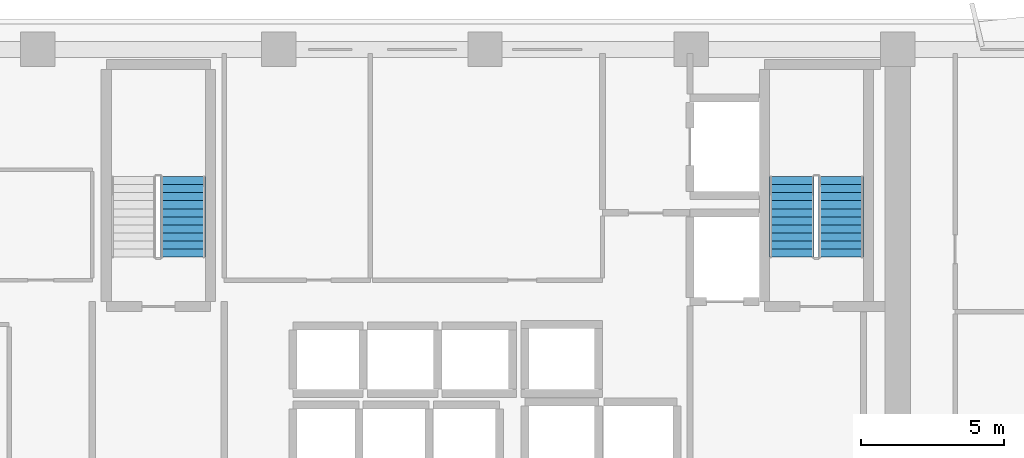
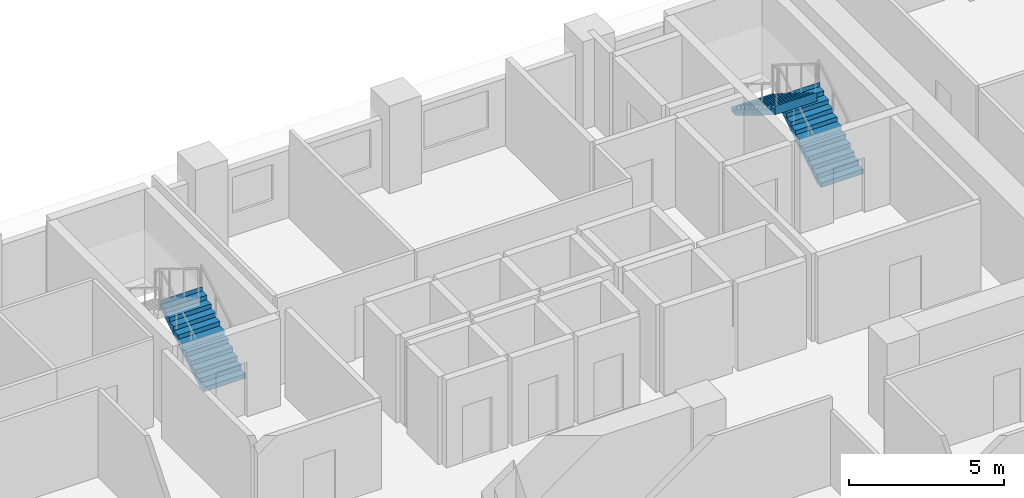
# One storey, part 10 of 15: 3 stair flights, 2 elements without a shape of their own.
"""IFC4 building model written with IfcOpenShell, lengths in metres."""

from ifc_helpers import new_model, si_unit, direction, frame, origin, place, context, subcontext, project, spatial, polyline, outline, extrude, material, type_object, element, aggregate, save


model = new_model("IFC4")

# Units and contexts
model_context = context("Model", 3, precision=1e-05, world=origin(), true_north=direction((0.0, 1.0)))
body_context = subcontext(model_context, "Body", "Model", "MODEL_VIEW")
ifc_project = project(units=[si_unit("LENGTHUNIT", "METRE"), si_unit("AREAUNIT", "SQUARE_METRE"), si_unit("VOLUMEUNIT", "CUBIC_METRE"), si_unit("PLANEANGLEUNIT", "RADIAN"), si_unit("MASSUNIT", "GRAM", prefix="KILO")], contexts=[model_context])

# Site, building, storey
site_placement = place(None, origin())
site = spatial("IfcSite", under=ifc_project, at=site_placement, CompositionType="ELEMENT")
building_placement = place(site_placement, origin())
building = spatial("IfcBuilding", under=site, at=building_placement, Name="Kaelvorn Grand Hotel", CompositionType="ELEMENT")
storey_placement = place(building_placement, frame((0.0, 0.0, 180.949951171875)))
storey = spatial("IfcBuildingStorey", under=building, at=storey_placement, Name="L44", CompositionType="ELEMENT", Elevation=180.949951171875)

# Stair, stair flight
ifc_material = material(Name="Concrete C40/50", Category="concrete")
stair_type = type_object("IfcStairType", Name="STR-DOG-1560-R08", PredefinedType="HALF_TURN_STAIR", material=ifc_material)
stair_1_placement = place(storey_placement, origin())
stair_1 = element("IfcStair", 1, at=stair_1_placement, inside=storey, type_object=stair_type, Name="L44 Central Core Exit Stair ST2", PredefinedType="HALF_TURN_STAIR")
stair_flight_type = type_object("IfcStairFlightType", Name="FLG-DOG-1560-R08", PredefinedType="STRAIGHT", material=ifc_material)
stair_flight_1_placement = place(storey_placement, frame((42.860107421875, 41.760009765625, 0.0), z_axis=(0.0, 0.0, 1.0), x_axis=(0.0, 1.0, 0.0)))
stair_flight_1 = element("IfcStairFlight", 2, at=stair_flight_1_placement, type_object=stair_flight_type, Name="ST2 flight 1", NumberOfRisers=11, NumberOfTreads=10, PredefinedType="STRAIGHT", RiserHeight=0.172727273, TreadLength=0.28, context=body_context, shape_type="SweptSolid", body=[
    extrude(outline(polyline([(-0.0048828125, 0.0), (-0.0048828125, 0.0400390625), (0.0, 0.172607421875), (0.280029296875, 0.172607421875), (0.280029296875, 0.345458984375), (0.56005859375, 0.345458984375), (0.56005859375, 0.51806640625), (0.840087890625, 0.51806640625), (0.840087890625, 0.69091796875), (1.1201171875, 0.69091796875), (1.1201171875, 0.863525390625), (1.39990234375, 0.863525390625), (1.39990234375, 1.036376953125), (1.679931640625, 1.036376953125), (1.679931640625, 1.208984375), (1.9599609375, 1.208984375), (1.9599609375, 1.3818359375), (2.239990234375, 1.3818359375), (2.239990234375, 1.554443359375), (2.52001953125, 1.554443359375), (2.52001953125, 1.727294921875), (2.800048828125, 1.727294921875), (2.800048828125, 1.89990234375), (2.804931640625, 1.89990234375), (2.804931640625, 1.551025390625), (0.285400390625, 0.0), (-0.0048828125, 0.0)])), frame((0.0, 0.780029296875, 0.0), z_axis=(0.0, -1.0, 0.0), x_axis=(1.0, 0.0, 0.0)), (0.0, 0.0, 1.0), 1.56005859375),
])
aggregate(stair_1, [stair_flight_1])

# Stair, stair flights
stair_2_placement = place(storey_placement, origin())
stair_2 = element("IfcStair", 3, at=stair_2_placement, inside=storey, type_object=stair_type, Name="L44 East Core Exit Stair ST3", PredefinedType="HALF_TURN_STAIR")
stair_flight_2_placement = place(storey_placement, frame((65.820068359375, 41.760009765625, 0.0), z_axis=(0.0, 0.0, 1.0), x_axis=(0.0, 1.0, 0.0)))
stair_flight_2 = element("IfcStairFlight", 4, at=stair_flight_2_placement, type_object=stair_flight_type, Name="ST3 flight 1", NumberOfRisers=11, NumberOfTreads=10, PredefinedType="STRAIGHT", RiserHeight=0.172727273, TreadLength=0.28, context=body_context, shape_type="SweptSolid", body=[
    extrude(outline(polyline([(-0.0048828125, 0.0), (-0.0048828125, 0.0400390625), (0.0, 0.172607421875), (0.280029296875, 0.172607421875), (0.280029296875, 0.345458984375), (0.56005859375, 0.345458984375), (0.56005859375, 0.51806640625), (0.840087890625, 0.51806640625), (0.840087890625, 0.69091796875), (1.1201171875, 0.69091796875), (1.1201171875, 0.863525390625), (1.39990234375, 0.863525390625), (1.39990234375, 1.036376953125), (1.679931640625, 1.036376953125), (1.679931640625, 1.208984375), (1.9599609375, 1.208984375), (1.9599609375, 1.3818359375), (2.239990234375, 1.3818359375), (2.239990234375, 1.554443359375), (2.52001953125, 1.554443359375), (2.52001953125, 1.727294921875), (2.800048828125, 1.727294921875), (2.800048828125, 1.89990234375), (2.804931640625, 1.89990234375), (2.804931640625, 1.551025390625), (0.285400390625, 0.0), (-0.0048828125, 0.0)])), frame((0.0, 0.780029296875, 0.0), z_axis=(0.0, -1.0, 0.0), x_axis=(1.0, 0.0, 0.0)), (0.0, 0.0, 1.0), 1.56005859375),
])
stair_flight_3_placement = place(storey_placement, frame((64.10009765625, 44.56005859375, 1.900146484375), z_axis=(0.0, 0.0, 1.0), x_axis=(0.0, -1.0, 0.0)))
stair_flight_3 = element("IfcStairFlight", 5, at=stair_flight_3_placement, type_object=stair_flight_type, Name="ST3 flight 2", NumberOfRisers=11, NumberOfTreads=10, PredefinedType="STRAIGHT", RiserHeight=0.172727273, TreadLength=0.28, context=body_context, shape_type="SweptSolid", body=[
    extrude(outline(polyline([(-0.0048828125, 0.0), (-0.0048828125, 0.0400390625), (0.0, 0.172607421875), (0.280029296875, 0.172607421875), (0.280029296875, 0.345458984375), (0.56005859375, 0.345458984375), (0.56005859375, 0.51806640625), (0.840087890625, 0.51806640625), (0.840087890625, 0.69091796875), (1.1201171875, 0.69091796875), (1.1201171875, 0.863525390625), (1.39990234375, 0.863525390625), (1.39990234375, 1.036376953125), (1.679931640625, 1.036376953125), (1.679931640625, 1.208984375), (1.9599609375, 1.208984375), (1.9599609375, 1.3818359375), (2.239990234375, 1.3818359375), (2.239990234375, 1.554443359375), (2.52001953125, 1.554443359375), (2.52001953125, 1.727294921875), (2.800048828125, 1.727294921875), (2.800048828125, 1.89990234375), (2.804931640625, 1.89990234375), (2.804931640625, 1.551025390625), (0.285400390625, 0.0), (-0.0048828125, 0.0)])), frame((0.0, 0.780029296875, 0.0), z_axis=(0.0, -1.0, 0.0), x_axis=(1.0, 0.0, 0.0)), (0.0, 0.0, 1.0), 1.56005859375),
])
aggregate(stair_2, [stair_flight_2, stair_flight_3])

save(model, "model.ifc")
